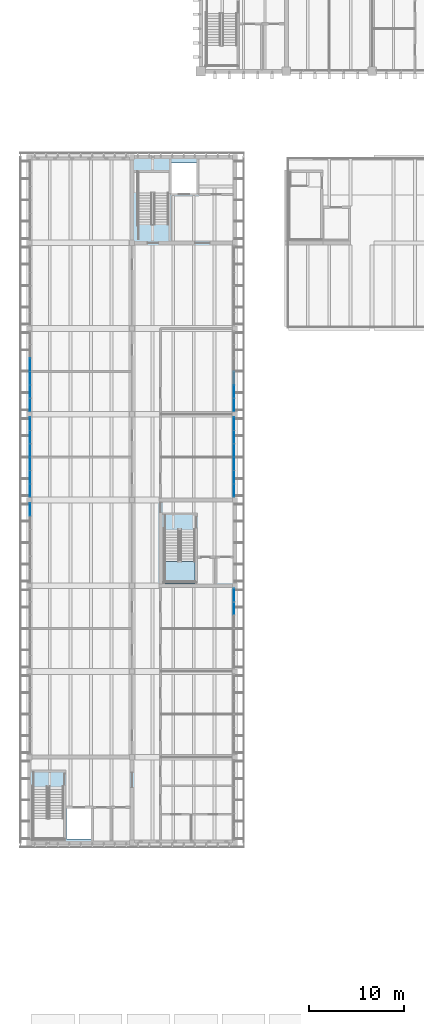
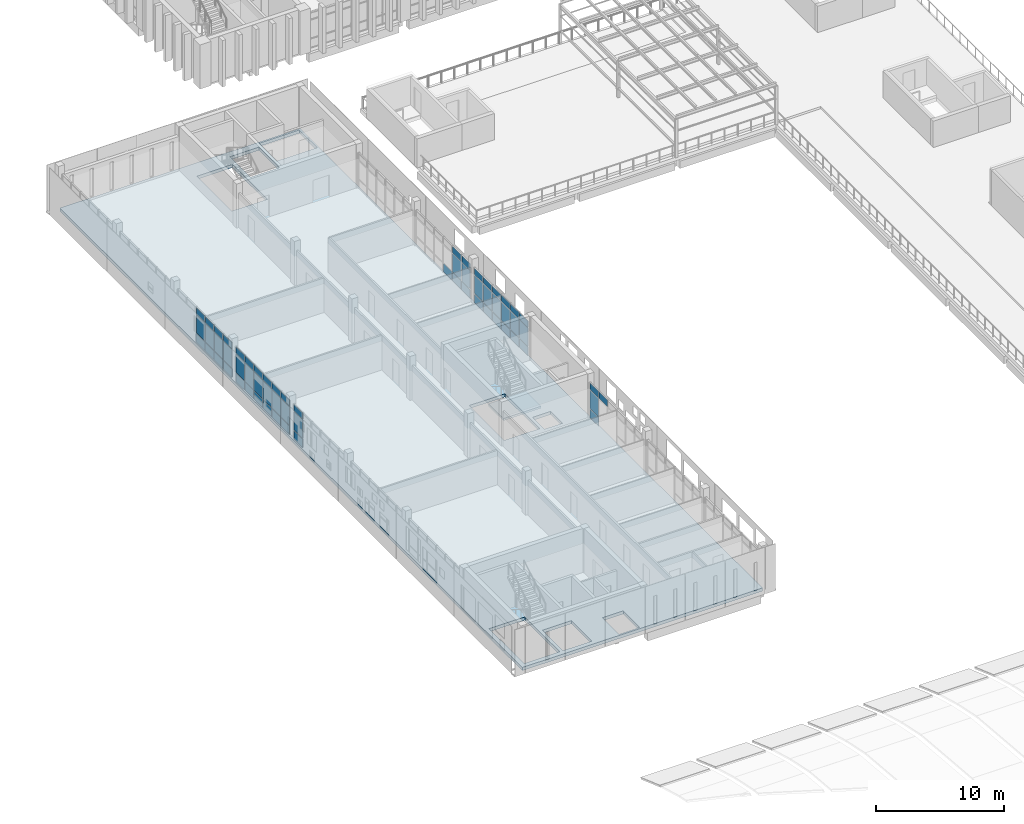
# One storey, part 35 of 74: 62 plates, 2 slabs, 7 elements without a shape of their own.
"""IFC4 building model written with IfcOpenShell, lengths in metres."""

from ifc_helpers import new_model, si_unit, direction, frame, origin, origin_2d, place, context, subcontext, project, spatial, polyline, rectangle, outline, extrude, material, layer, layer_set, type_object, element, aggregate, save


model = new_model("IFC4")

# Units and contexts
model_context = context("Model", 3, precision=1e-05, world=origin(), true_north=direction((0.0, 1.0)))
body_context = subcontext(model_context, "Body", "Model", "MODEL_VIEW")
ifc_project = project(units=[si_unit("LENGTHUNIT", "METRE"), si_unit("AREAUNIT", "SQUARE_METRE"), si_unit("VOLUMEUNIT", "CUBIC_METRE"), si_unit("PLANEANGLEUNIT", "RADIAN"), si_unit("MASSUNIT", "GRAM", prefix="KILO")], contexts=[model_context])

# Site, building, storey
site_placement = place(None, origin())
site = spatial("IfcSite", under=ifc_project, at=site_placement, CompositionType="ELEMENT")
building_placement = place(site_placement, origin())
building = spatial("IfcBuilding", under=site, at=building_placement, Name="Merrow Basin Faculty of Sciences", CompositionType="ELEMENT")
storey_placement = place(building_placement, frame((0.0, 0.0, 13.5)))
storey = spatial("IfcBuildingStorey", under=building, at=storey_placement, Name="L03", CompositionType="ELEMENT", Elevation=13.5)

# Slab
ifc_material_1 = material(Name="Concrete C40/50", Category="concrete")
ifc_layer_1 = layer(ifc_material_1, 0.300048828125)
ifc_layer_set_1 = layer_set([ifc_layer_1], Name="Floor slab 300 Concrete C40/50")
slab_type_1 = type_object("IfcSlabType", Name="Floor slab 300 Concrete C40/50", PredefinedType="FLOOR", material=ifc_layer_set_1)
slab_1_placement = place(storey_placement, frame((0.0, 0.0, -0.300048828125)))
element("IfcSlab", 1, at=slab_1_placement, inside=storey, type_object=slab_type_1, Name="SL11 floor L03 001", PredefinedType="FLOOR", context=body_context, shape_type="SweptSolid", body=[
    extrude(outline(polyline([(0.0, 133.0), (21.60009765625, 133.0), (21.60009765625, 61.0), (0.0, 61.0), (0.0, 133.0)]), holes=[polyline([(17.824951171875, 130.074951171875), (21.449951171875, 130.074951171875), (21.449951171875, 132.85009765625), (17.824951171875, 132.85009765625), (17.824951171875, 130.074951171875)]), polyline([(17.675048828125, 88.14990234375), (19.2890625, 88.14990234375), (19.2890625, 90.0), (17.675048828125, 90.0), (17.675048828125, 88.14990234375)]), polyline([(14.949951171875, 129.199951171875), (17.550048828125, 129.199951171875), (17.550048828125, 132.39990234375), (14.949951171875, 132.39990234375), (14.949951171875, 129.199951171875)]), polyline([(14.199951171875, 88.39990234375), (17.39990234375, 88.39990234375), (17.39990234375, 93.85009765625), (14.199951171875, 93.85009765625), (14.199951171875, 88.39990234375)]), polyline([(11.39990234375, 125.949951171875), (14.60009765625, 125.949951171875), (14.60009765625, 131.39990234375), (11.39990234375, 131.39990234375), (11.39990234375, 125.949951171875)]), polyline([(8.791015625, 61.14990234375), (10.64990234375, 61.14990234375), (10.64990234375, 63.72509765625), (8.791015625, 63.72509765625), (8.791015625, 61.14990234375)]), polyline([(3.89990234375, 61.39990234375), (6.5, 61.39990234375), (6.5, 64.60009765625), (3.89990234375, 64.60009765625), (3.89990234375, 61.39990234375)]), polyline([(0.39990234375, 61.39990234375), (3.60009765625, 61.39990234375), (3.60009765625, 66.85009765625), (0.39990234375, 66.85009765625), (0.39990234375, 61.39990234375)])]), origin(), (0.0, 0.0, 1.0), 0.300048828125),
])

# Curtain wall, plate
ifc_material_2 = material(Name="Aluminium alloy 6063", Category="aluminium")
curtain_wall_type = type_object("IfcCurtainWallType", Name="Bar unitised curtain wall 180", PredefinedType="NOTDEFINED", material=ifc_material_2)
curtain_wall_1_placement = place(storey_placement, origin())
curtain_wall_1 = element("IfcCurtainWall", 2, at=curtain_wall_1_placement, inside=storey, type_object=curtain_wall_type, Name="West curtain wall L03 3", PredefinedType="NOTDEFINED")
ifc_material_3 = material(Name="Insulated aluminium spandrel panel", Category="aluminium")
ifc_layer_2 = layer(ifc_material_3, 0.052001953125)
ifc_layer_set_2 = layer_set([ifc_layer_2], Name="Insulated spandrel panel 52")
plate_type_1 = type_object("IfcPlateType", Name="Insulated spandrel panel 52", PredefinedType="CURTAIN_PANEL", material=ifc_layer_set_2)
plate_1_placement = place(storey_placement, frame((0.090087890625, 96.005859375, 0.06005859375), z_axis=(0.0, 0.0, 1.0), x_axis=(0.0, 1.0, 0.0)))
plate_1 = element("IfcPlate", 3, at=plate_1_placement, type_object=plate_type_1, Name="CW1 panel 6.1", PredefinedType="CURTAIN_PANEL", context=body_context, shape_type="SweptSolid", body=[
    extrude(rectangle(XDim=1.318359375, YDim=0.052001953125, at=origin_2d()), origin(), (0.0, 0.0, 1.0), 0.81005859375),
])

# Curtain wall, plates
curtain_wall_2_placement = place(storey_placement, origin())
curtain_wall_2 = element("IfcCurtainWall", 4, at=curtain_wall_2_placement, inside=storey, type_object=curtain_wall_type, Name="West curtain wall L03 4", PredefinedType="NOTDEFINED")
plate_2_placement = place(storey_placement, frame((0.090087890625, 97.994140625, 0.06005859375), z_axis=(0.0, 0.0, 1.0), x_axis=(0.0, 1.0, 0.0)))
plate_2 = element("IfcPlate", 5, at=plate_2_placement, type_object=plate_type_1, Name="CW1 panel 1.1", PredefinedType="CURTAIN_PANEL", context=body_context, shape_type="SweptSolid", body=[
    extrude(rectangle(XDim=1.318359375, YDim=0.052001953125, at=origin_2d()), origin(), (0.0, 0.0, 1.0), 0.81005859375),
])
plate_3_placement = place(storey_placement, frame((0.090087890625, 99.387451171875, 0.06005859375), z_axis=(0.0, 0.0, 1.0), x_axis=(0.0, 1.0, 0.0)))
plate_3 = element("IfcPlate", 6, at=plate_3_placement, type_object=plate_type_1, Name="CW1 panel 2.1", PredefinedType="CURTAIN_PANEL", context=body_context, shape_type="SweptSolid", body=[
    extrude(rectangle(XDim=1.348388671875, YDim=0.052001953125, at=origin_2d()), origin(), (0.0, 0.0, 1.0), 0.81005859375),
])
plate_4_placement = place(storey_placement, frame((0.090087890625, 100.7958984375, 0.06005859375), z_axis=(0.0, 0.0, 1.0), x_axis=(0.0, 1.0, 0.0)))
plate_4 = element("IfcPlate", 7, at=plate_4_placement, type_object=plate_type_1, Name="CW1 panel 3.1", PredefinedType="CURTAIN_PANEL", context=body_context, shape_type="SweptSolid", body=[
    extrude(rectangle(XDim=1.348388671875, YDim=0.052001953125, at=origin_2d()), origin(), (0.0, 0.0, 1.0), 0.81005859375),
])
plate_5_placement = place(storey_placement, frame((0.090087890625, 102.2041015625, 0.06005859375), z_axis=(0.0, 0.0, 1.0), x_axis=(0.0, 1.0, 0.0)))
plate_5 = element("IfcPlate", 8, at=plate_5_placement, type_object=plate_type_1, Name="CW1 panel 4.1", PredefinedType="CURTAIN_PANEL", context=body_context, shape_type="SweptSolid", body=[
    extrude(rectangle(XDim=1.348388671875, YDim=0.052001953125, at=origin_2d()), origin(), (0.0, 0.0, 1.0), 0.81005859375),
])
plate_6_placement = place(storey_placement, frame((0.090087890625, 103.612548828125, 0.06005859375), z_axis=(0.0, 0.0, 1.0), x_axis=(0.0, 1.0, 0.0)))
plate_6 = element("IfcPlate", 9, at=plate_6_placement, type_object=plate_type_1, Name="CW1 panel 5.1", PredefinedType="CURTAIN_PANEL", context=body_context, shape_type="SweptSolid", body=[
    extrude(rectangle(XDim=1.348388671875, YDim=0.052001953125, at=origin_2d()), origin(), (0.0, 0.0, 1.0), 0.81005859375),
])
plate_7_placement = place(storey_placement, frame((0.090087890625, 105.005859375, 0.06005859375), z_axis=(0.0, 0.0, 1.0), x_axis=(0.0, 1.0, 0.0)))
plate_7 = element("IfcPlate", 10, at=plate_7_placement, type_object=plate_type_1, Name="CW1 panel 6.1", PredefinedType="CURTAIN_PANEL", context=body_context, shape_type="SweptSolid", body=[
    extrude(rectangle(XDim=1.318359375, YDim=0.052001953125, at=origin_2d()), origin(), (0.0, 0.0, 1.0), 0.81005859375),
])

curtain_wall_3_placement = place(storey_placement, origin())
curtain_wall_3 = element("IfcCurtainWall", 11, at=curtain_wall_3_placement, inside=storey, type_object=curtain_wall_type, Name="West curtain wall L03 5", PredefinedType="NOTDEFINED")
plate_8_placement = place(storey_placement, frame((0.090087890625, 106.994140625, 0.06005859375), z_axis=(0.0, 0.0, 1.0), x_axis=(0.0, 1.0, 0.0)))
plate_8 = element("IfcPlate", 12, at=plate_8_placement, type_object=plate_type_1, Name="CW1 panel 1.1", PredefinedType="CURTAIN_PANEL", context=body_context, shape_type="SweptSolid", body=[
    extrude(rectangle(XDim=1.318359375, YDim=0.052001953125, at=origin_2d()), origin(), (0.0, 0.0, 1.0), 0.81005859375),
])
plate_9_placement = place(storey_placement, frame((0.090087890625, 108.387451171875, 0.06005859375), z_axis=(0.0, 0.0, 1.0), x_axis=(0.0, 1.0, 0.0)))
plate_9 = element("IfcPlate", 13, at=plate_9_placement, type_object=plate_type_1, Name="CW1 panel 2.1", PredefinedType="CURTAIN_PANEL", context=body_context, shape_type="SweptSolid", body=[
    extrude(rectangle(XDim=1.348388671875, YDim=0.052001953125, at=origin_2d()), origin(), (0.0, 0.0, 1.0), 0.81005859375),
])
plate_10_placement = place(storey_placement, frame((0.090087890625, 109.7958984375, 0.06005859375), z_axis=(0.0, 0.0, 1.0), x_axis=(0.0, 1.0, 0.0)))
plate_10 = element("IfcPlate", 14, at=plate_10_placement, type_object=plate_type_1, Name="CW1 panel 3.1", PredefinedType="CURTAIN_PANEL", context=body_context, shape_type="SweptSolid", body=[
    extrude(rectangle(XDim=1.348388671875, YDim=0.052001953125, at=origin_2d()), origin(), (0.0, 0.0, 1.0), 0.81005859375),
])
plate_11_placement = place(storey_placement, frame((0.090087890625, 111.2041015625, 0.06005859375), z_axis=(0.0, 0.0, 1.0), x_axis=(0.0, 1.0, 0.0)))
plate_11 = element("IfcPlate", 15, at=plate_11_placement, type_object=plate_type_1, Name="CW1 panel 4.1", PredefinedType="CURTAIN_PANEL", context=body_context, shape_type="SweptSolid", body=[
    extrude(rectangle(XDim=1.348388671875, YDim=0.052001953125, at=origin_2d()), origin(), (0.0, 0.0, 1.0), 0.81005859375),
])

# Curtain wall, plate
curtain_wall_4_placement = place(storey_placement, origin())
curtain_wall_4 = element("IfcCurtainWall", 16, at=curtain_wall_4_placement, inside=storey, type_object=curtain_wall_type, Name="East curtain wall L03 3", PredefinedType="NOTDEFINED")
plate_12_placement = place(storey_placement, frame((21.510009765625, 87.005859375, 0.06005859375), z_axis=(0.0, 0.0, 1.0), x_axis=(0.0, 1.0, 0.0)))
plate_12 = element("IfcPlate", 17, at=plate_12_placement, type_object=plate_type_1, Name="CW1 panel 6.1", PredefinedType="CURTAIN_PANEL", context=body_context, shape_type="SweptSolid", body=[
    extrude(rectangle(XDim=1.318359375, YDim=0.052001953125, at=origin_2d()), origin(), (0.0, 0.0, 1.0), 0.81005859375),
])

# Curtain wall, plates
curtain_wall_5_placement = place(storey_placement, origin())
curtain_wall_5 = element("IfcCurtainWall", 18, at=curtain_wall_5_placement, inside=storey, type_object=curtain_wall_type, Name="East curtain wall L03 4", PredefinedType="NOTDEFINED")
plate_13_placement = place(storey_placement, frame((21.510009765625, 97.994140625, 0.06005859375), z_axis=(0.0, 0.0, 1.0), x_axis=(0.0, 1.0, 0.0)))
plate_13 = element("IfcPlate", 19, at=plate_13_placement, type_object=plate_type_1, Name="CW1 panel 1.1", PredefinedType="CURTAIN_PANEL", context=body_context, shape_type="SweptSolid", body=[
    extrude(rectangle(XDim=1.318359375, YDim=0.052001953125, at=origin_2d()), origin(), (0.0, 0.0, 1.0), 0.81005859375),
])
plate_14_placement = place(storey_placement, frame((21.510009765625, 99.387451171875, 0.06005859375), z_axis=(0.0, 0.0, 1.0), x_axis=(0.0, 1.0, 0.0)))
plate_14 = element("IfcPlate", 20, at=plate_14_placement, type_object=plate_type_1, Name="CW1 panel 2.1", PredefinedType="CURTAIN_PANEL", context=body_context, shape_type="SweptSolid", body=[
    extrude(rectangle(XDim=1.348388671875, YDim=0.052001953125, at=origin_2d()), origin(), (0.0, 0.0, 1.0), 0.81005859375),
])
plate_15_placement = place(storey_placement, frame((21.510009765625, 100.7958984375, 0.06005859375), z_axis=(0.0, 0.0, 1.0), x_axis=(0.0, 1.0, 0.0)))
plate_15 = element("IfcPlate", 21, at=plate_15_placement, type_object=plate_type_1, Name="CW1 panel 3.1", PredefinedType="CURTAIN_PANEL", context=body_context, shape_type="SweptSolid", body=[
    extrude(rectangle(XDim=1.348388671875, YDim=0.052001953125, at=origin_2d()), origin(), (0.0, 0.0, 1.0), 0.81005859375),
])
plate_16_placement = place(storey_placement, frame((21.510009765625, 102.2041015625, 0.06005859375), z_axis=(0.0, 0.0, 1.0), x_axis=(0.0, 1.0, 0.0)))
plate_16 = element("IfcPlate", 22, at=plate_16_placement, type_object=plate_type_1, Name="CW1 panel 4.1", PredefinedType="CURTAIN_PANEL", context=body_context, shape_type="SweptSolid", body=[
    extrude(rectangle(XDim=1.348388671875, YDim=0.052001953125, at=origin_2d()), origin(), (0.0, 0.0, 1.0), 0.81005859375),
])
plate_17_placement = place(storey_placement, frame((21.510009765625, 103.612548828125, 0.06005859375), z_axis=(0.0, 0.0, 1.0), x_axis=(0.0, 1.0, 0.0)))
plate_17 = element("IfcPlate", 23, at=plate_17_placement, type_object=plate_type_1, Name="CW1 panel 5.1", PredefinedType="CURTAIN_PANEL", context=body_context, shape_type="SweptSolid", body=[
    extrude(rectangle(XDim=1.348388671875, YDim=0.052001953125, at=origin_2d()), origin(), (0.0, 0.0, 1.0), 0.81005859375),
])
plate_18_placement = place(storey_placement, frame((21.510009765625, 105.005859375, 0.06005859375), z_axis=(0.0, 0.0, 1.0), x_axis=(0.0, 1.0, 0.0)))
plate_18 = element("IfcPlate", 24, at=plate_18_placement, type_object=plate_type_1, Name="CW1 panel 6.1", PredefinedType="CURTAIN_PANEL", context=body_context, shape_type="SweptSolid", body=[
    extrude(rectangle(XDim=1.318359375, YDim=0.052001953125, at=origin_2d()), origin(), (0.0, 0.0, 1.0), 0.81005859375),
])

curtain_wall_6_placement = place(storey_placement, origin())
curtain_wall_6 = element("IfcCurtainWall", 25, at=curtain_wall_6_placement, inside=storey, type_object=curtain_wall_type, Name="East curtain wall L03 5", PredefinedType="NOTDEFINED")
plate_19_placement = place(storey_placement, frame((21.510009765625, 106.994140625, 0.06005859375), z_axis=(0.0, 0.0, 1.0), x_axis=(0.0, 1.0, 0.0)))
plate_19 = element("IfcPlate", 26, at=plate_19_placement, type_object=plate_type_1, Name="CW1 panel 1.1", PredefinedType="CURTAIN_PANEL", context=body_context, shape_type="SweptSolid", body=[
    extrude(rectangle(XDim=1.318359375, YDim=0.052001953125, at=origin_2d()), origin(), (0.0, 0.0, 1.0), 0.81005859375),
])
plate_20_placement = place(storey_placement, frame((21.510009765625, 108.387451171875, 0.06005859375), z_axis=(0.0, 0.0, 1.0), x_axis=(0.0, 1.0, 0.0)))
plate_20 = element("IfcPlate", 27, at=plate_20_placement, type_object=plate_type_1, Name="CW1 panel 2.1", PredefinedType="CURTAIN_PANEL", context=body_context, shape_type="SweptSolid", body=[
    extrude(rectangle(XDim=1.348388671875, YDim=0.052001953125, at=origin_2d()), origin(), (0.0, 0.0, 1.0), 0.81005859375),
])
plate_21_placement = place(storey_placement, frame((21.510009765625, 109.7958984375, 0.06005859375), z_axis=(0.0, 0.0, 1.0), x_axis=(0.0, 1.0, 0.0)))
plate_21 = element("IfcPlate", 28, at=plate_21_placement, type_object=plate_type_1, Name="CW1 panel 3.1", PredefinedType="CURTAIN_PANEL", context=body_context, shape_type="SweptSolid", body=[
    extrude(rectangle(XDim=1.348388671875, YDim=0.052001953125, at=origin_2d()), origin(), (0.0, 0.0, 1.0), 0.81005859375),
])

# Plate
ifc_material_4 = material(Name="Low-E double glazing", Category="glass")
ifc_layer_3 = layer(ifc_material_4, 0.028076171875)
ifc_layer_set_3 = layer_set([ifc_layer_3], Name="Low-E double glazed panel 28")
plate_type_2 = type_object("IfcPlateType", Name="Low-E double glazed panel 28", PredefinedType="CURTAIN_PANEL", material=ifc_layer_set_3)
plate_22_placement = place(storey_placement, frame((0.090087890625, 96.005859375, 0.93017578125), z_axis=(0.0, 0.0, 1.0), x_axis=(0.0, 1.0, 0.0)))
plate_22 = element("IfcPlate", 29, at=plate_22_placement, type_object=plate_type_2, Name="CW1 panel 6.2", PredefinedType="CURTAIN_PANEL", context=body_context, shape_type="SweptSolid", body=[
    extrude(rectangle(XDim=1.318359375, YDim=0.028076171875, at=origin_2d()), origin(), (0.0, 0.0, 1.0), 1.739990234375),
])

plate_23_placement = place(storey_placement, frame((0.090087890625, 96.005859375, 2.72998046875), z_axis=(0.0, 0.0, 1.0), x_axis=(0.0, 1.0, 0.0)))
plate_23 = element("IfcPlate", 30, at=plate_23_placement, type_object=plate_type_2, Name="CW1 panel 6.3", PredefinedType="CURTAIN_PANEL", context=body_context, shape_type="SweptSolid", body=[
    extrude(rectangle(XDim=1.318359375, YDim=0.028076171875, at=origin_2d()), origin(), (0.0, 0.0, 1.0), 0.610107421875),
])

aggregate(curtain_wall_1, [plate_1, plate_22, plate_23])

plate_24_placement = place(storey_placement, frame((0.090087890625, 97.994140625, 0.93017578125), z_axis=(0.0, 0.0, 1.0), x_axis=(0.0, 1.0, 0.0)))
plate_24 = element("IfcPlate", 31, at=plate_24_placement, type_object=plate_type_2, Name="CW1 panel 1.2", PredefinedType="CURTAIN_PANEL", context=body_context, shape_type="SweptSolid", body=[
    extrude(rectangle(XDim=1.318359375, YDim=0.028076171875, at=origin_2d()), origin(), (0.0, 0.0, 1.0), 1.739990234375),
])

plate_25_placement = place(storey_placement, frame((0.090087890625, 97.994140625, 2.72998046875), z_axis=(0.0, 0.0, 1.0), x_axis=(0.0, 1.0, 0.0)))
plate_25 = element("IfcPlate", 32, at=plate_25_placement, type_object=plate_type_2, Name="CW1 panel 1.3", PredefinedType="CURTAIN_PANEL", context=body_context, shape_type="SweptSolid", body=[
    extrude(rectangle(XDim=1.318359375, YDim=0.028076171875, at=origin_2d()), origin(), (0.0, 0.0, 1.0), 0.610107421875),
])

plate_26_placement = place(storey_placement, frame((0.090087890625, 99.387451171875, 0.93017578125), z_axis=(0.0, 0.0, 1.0), x_axis=(0.0, 1.0, 0.0)))
plate_26 = element("IfcPlate", 33, at=plate_26_placement, type_object=plate_type_2, Name="CW1 panel 2.2", PredefinedType="CURTAIN_PANEL", context=body_context, shape_type="SweptSolid", body=[
    extrude(rectangle(XDim=1.348388671875, YDim=0.028076171875, at=origin_2d()), origin(), (0.0, 0.0, 1.0), 1.739990234375),
])

plate_27_placement = place(storey_placement, frame((0.090087890625, 99.387451171875, 2.72998046875), z_axis=(0.0, 0.0, 1.0), x_axis=(0.0, 1.0, 0.0)))
plate_27 = element("IfcPlate", 34, at=plate_27_placement, type_object=plate_type_2, Name="CW1 panel 2.3", PredefinedType="CURTAIN_PANEL", context=body_context, shape_type="SweptSolid", body=[
    extrude(rectangle(XDim=1.348388671875, YDim=0.028076171875, at=origin_2d()), origin(), (0.0, 0.0, 1.0), 0.610107421875),
])

plate_28_placement = place(storey_placement, frame((0.090087890625, 100.7958984375, 0.93017578125), z_axis=(0.0, 0.0, 1.0), x_axis=(0.0, 1.0, 0.0)))
plate_28 = element("IfcPlate", 35, at=plate_28_placement, type_object=plate_type_2, Name="CW1 panel 3.2", PredefinedType="CURTAIN_PANEL", context=body_context, shape_type="SweptSolid", body=[
    extrude(rectangle(XDim=1.348388671875, YDim=0.028076171875, at=origin_2d()), origin(), (0.0, 0.0, 1.0), 1.739990234375),
])

plate_29_placement = place(storey_placement, frame((0.090087890625, 100.7958984375, 2.72998046875), z_axis=(0.0, 0.0, 1.0), x_axis=(0.0, 1.0, 0.0)))
plate_29 = element("IfcPlate", 36, at=plate_29_placement, type_object=plate_type_2, Name="CW1 panel 3.3", PredefinedType="CURTAIN_PANEL", context=body_context, shape_type="SweptSolid", body=[
    extrude(rectangle(XDim=1.348388671875, YDim=0.028076171875, at=origin_2d()), origin(), (0.0, 0.0, 1.0), 0.610107421875),
])

plate_30_placement = place(storey_placement, frame((0.090087890625, 102.2041015625, 0.93017578125), z_axis=(0.0, 0.0, 1.0), x_axis=(0.0, 1.0, 0.0)))
plate_30 = element("IfcPlate", 37, at=plate_30_placement, type_object=plate_type_2, Name="CW1 panel 4.2", PredefinedType="CURTAIN_PANEL", context=body_context, shape_type="SweptSolid", body=[
    extrude(rectangle(XDim=1.348388671875, YDim=0.028076171875, at=origin_2d()), origin(), (0.0, 0.0, 1.0), 1.739990234375),
])

plate_31_placement = place(storey_placement, frame((0.090087890625, 102.2041015625, 2.72998046875), z_axis=(0.0, 0.0, 1.0), x_axis=(0.0, 1.0, 0.0)))
plate_31 = element("IfcPlate", 38, at=plate_31_placement, type_object=plate_type_2, Name="CW1 panel 4.3", PredefinedType="CURTAIN_PANEL", context=body_context, shape_type="SweptSolid", body=[
    extrude(rectangle(XDim=1.348388671875, YDim=0.028076171875, at=origin_2d()), origin(), (0.0, 0.0, 1.0), 0.610107421875),
])

plate_32_placement = place(storey_placement, frame((0.090087890625, 103.612548828125, 0.93017578125), z_axis=(0.0, 0.0, 1.0), x_axis=(0.0, 1.0, 0.0)))
plate_32 = element("IfcPlate", 39, at=plate_32_placement, type_object=plate_type_2, Name="CW1 panel 5.2", PredefinedType="CURTAIN_PANEL", context=body_context, shape_type="SweptSolid", body=[
    extrude(rectangle(XDim=1.348388671875, YDim=0.028076171875, at=origin_2d()), origin(), (0.0, 0.0, 1.0), 1.739990234375),
])

plate_33_placement = place(storey_placement, frame((0.090087890625, 103.612548828125, 2.72998046875), z_axis=(0.0, 0.0, 1.0), x_axis=(0.0, 1.0, 0.0)))
plate_33 = element("IfcPlate", 40, at=plate_33_placement, type_object=plate_type_2, Name="CW1 panel 5.3", PredefinedType="CURTAIN_PANEL", context=body_context, shape_type="SweptSolid", body=[
    extrude(rectangle(XDim=1.348388671875, YDim=0.028076171875, at=origin_2d()), origin(), (0.0, 0.0, 1.0), 0.610107421875),
])

plate_34_placement = place(storey_placement, frame((0.090087890625, 105.005859375, 0.93017578125), z_axis=(0.0, 0.0, 1.0), x_axis=(0.0, 1.0, 0.0)))
plate_34 = element("IfcPlate", 41, at=plate_34_placement, type_object=plate_type_2, Name="CW1 panel 6.2", PredefinedType="CURTAIN_PANEL", context=body_context, shape_type="SweptSolid", body=[
    extrude(rectangle(XDim=1.318359375, YDim=0.028076171875, at=origin_2d()), origin(), (0.0, 0.0, 1.0), 1.739990234375),
])

plate_35_placement = place(storey_placement, frame((0.090087890625, 105.005859375, 2.72998046875), z_axis=(0.0, 0.0, 1.0), x_axis=(0.0, 1.0, 0.0)))
plate_35 = element("IfcPlate", 42, at=plate_35_placement, type_object=plate_type_2, Name="CW1 panel 6.3", PredefinedType="CURTAIN_PANEL", context=body_context, shape_type="SweptSolid", body=[
    extrude(rectangle(XDim=1.318359375, YDim=0.028076171875, at=origin_2d()), origin(), (0.0, 0.0, 1.0), 0.610107421875),
])

aggregate(curtain_wall_2, [plate_2, plate_24, plate_25, plate_3, plate_26, plate_27, plate_4, plate_28, plate_29, plate_5, plate_30, plate_31, plate_6, plate_32, plate_33, plate_7, plate_34, plate_35])

plate_36_placement = place(storey_placement, frame((0.090087890625, 106.994140625, 0.93017578125), z_axis=(0.0, 0.0, 1.0), x_axis=(0.0, 1.0, 0.0)))
plate_36 = element("IfcPlate", 43, at=plate_36_placement, type_object=plate_type_2, Name="CW1 panel 1.2", PredefinedType="CURTAIN_PANEL", context=body_context, shape_type="SweptSolid", body=[
    extrude(rectangle(XDim=1.318359375, YDim=0.028076171875, at=origin_2d()), origin(), (0.0, 0.0, 1.0), 1.739990234375),
])

plate_37_placement = place(storey_placement, frame((0.090087890625, 106.994140625, 2.72998046875), z_axis=(0.0, 0.0, 1.0), x_axis=(0.0, 1.0, 0.0)))
plate_37 = element("IfcPlate", 44, at=plate_37_placement, type_object=plate_type_2, Name="CW1 panel 1.3", PredefinedType="CURTAIN_PANEL", context=body_context, shape_type="SweptSolid", body=[
    extrude(rectangle(XDim=1.318359375, YDim=0.028076171875, at=origin_2d()), origin(), (0.0, 0.0, 1.0), 0.610107421875),
])

plate_38_placement = place(storey_placement, frame((0.090087890625, 108.387451171875, 0.93017578125), z_axis=(0.0, 0.0, 1.0), x_axis=(0.0, 1.0, 0.0)))
plate_38 = element("IfcPlate", 45, at=plate_38_placement, type_object=plate_type_2, Name="CW1 panel 2.2", PredefinedType="CURTAIN_PANEL", context=body_context, shape_type="SweptSolid", body=[
    extrude(rectangle(XDim=1.348388671875, YDim=0.028076171875, at=origin_2d()), origin(), (0.0, 0.0, 1.0), 1.739990234375),
])

plate_39_placement = place(storey_placement, frame((0.090087890625, 108.387451171875, 2.72998046875), z_axis=(0.0, 0.0, 1.0), x_axis=(0.0, 1.0, 0.0)))
plate_39 = element("IfcPlate", 46, at=plate_39_placement, type_object=plate_type_2, Name="CW1 panel 2.3", PredefinedType="CURTAIN_PANEL", context=body_context, shape_type="SweptSolid", body=[
    extrude(rectangle(XDim=1.348388671875, YDim=0.028076171875, at=origin_2d()), origin(), (0.0, 0.0, 1.0), 0.610107421875),
])

plate_40_placement = place(storey_placement, frame((0.090087890625, 109.7958984375, 0.93017578125), z_axis=(0.0, 0.0, 1.0), x_axis=(0.0, 1.0, 0.0)))
plate_40 = element("IfcPlate", 47, at=plate_40_placement, type_object=plate_type_2, Name="CW1 panel 3.2", PredefinedType="CURTAIN_PANEL", context=body_context, shape_type="SweptSolid", body=[
    extrude(rectangle(XDim=1.348388671875, YDim=0.028076171875, at=origin_2d()), origin(), (0.0, 0.0, 1.0), 1.739990234375),
])

plate_41_placement = place(storey_placement, frame((0.090087890625, 109.7958984375, 2.72998046875), z_axis=(0.0, 0.0, 1.0), x_axis=(0.0, 1.0, 0.0)))
plate_41 = element("IfcPlate", 48, at=plate_41_placement, type_object=plate_type_2, Name="CW1 panel 3.3", PredefinedType="CURTAIN_PANEL", context=body_context, shape_type="SweptSolid", body=[
    extrude(rectangle(XDim=1.348388671875, YDim=0.028076171875, at=origin_2d()), origin(), (0.0, 0.0, 1.0), 0.610107421875),
])

plate_42_placement = place(storey_placement, frame((0.090087890625, 111.2041015625, 0.93017578125), z_axis=(0.0, 0.0, 1.0), x_axis=(0.0, 1.0, 0.0)))
plate_42 = element("IfcPlate", 49, at=plate_42_placement, type_object=plate_type_2, Name="CW1 panel 4.2", PredefinedType="CURTAIN_PANEL", context=body_context, shape_type="SweptSolid", body=[
    extrude(rectangle(XDim=1.348388671875, YDim=0.028076171875, at=origin_2d()), origin(), (0.0, 0.0, 1.0), 1.739990234375),
])

plate_43_placement = place(storey_placement, frame((0.090087890625, 111.2041015625, 2.72998046875), z_axis=(0.0, 0.0, 1.0), x_axis=(0.0, 1.0, 0.0)))
plate_43 = element("IfcPlate", 50, at=plate_43_placement, type_object=plate_type_2, Name="CW1 panel 4.3", PredefinedType="CURTAIN_PANEL", context=body_context, shape_type="SweptSolid", body=[
    extrude(rectangle(XDim=1.348388671875, YDim=0.028076171875, at=origin_2d()), origin(), (0.0, 0.0, 1.0), 0.610107421875),
])

aggregate(curtain_wall_3, [plate_8, plate_36, plate_37, plate_9, plate_38, plate_39, plate_10, plate_40, plate_41, plate_11, plate_42, plate_43])

plate_44_placement = place(storey_placement, frame((21.510009765625, 85.612548828125, 2.72998046875), z_axis=(0.0, 0.0, 1.0), x_axis=(0.0, 1.0, 0.0)))
plate_44 = element("IfcPlate", 51, at=plate_44_placement, type_object=plate_type_2, Name="CW1 panel 5.3", PredefinedType="CURTAIN_PANEL", context=body_context, shape_type="SweptSolid", body=[
    extrude(rectangle(XDim=1.348388671875, YDim=0.028076171875, at=origin_2d()), origin(), (0.0, 0.0, 1.0), 0.610107421875),
])

plate_45_placement = place(storey_placement, frame((21.510009765625, 87.005859375, 0.93017578125), z_axis=(0.0, 0.0, 1.0), x_axis=(0.0, 1.0, 0.0)))
plate_45 = element("IfcPlate", 52, at=plate_45_placement, type_object=plate_type_2, Name="CW1 panel 6.2", PredefinedType="CURTAIN_PANEL", context=body_context, shape_type="SweptSolid", body=[
    extrude(rectangle(XDim=1.318359375, YDim=0.028076171875, at=origin_2d()), origin(), (0.0, 0.0, 1.0), 1.739990234375),
])

plate_46_placement = place(storey_placement, frame((21.510009765625, 87.005859375, 2.72998046875), z_axis=(0.0, 0.0, 1.0), x_axis=(0.0, 1.0, 0.0)))
plate_46 = element("IfcPlate", 53, at=plate_46_placement, type_object=plate_type_2, Name="CW1 panel 6.3", PredefinedType="CURTAIN_PANEL", context=body_context, shape_type="SweptSolid", body=[
    extrude(rectangle(XDim=1.318359375, YDim=0.028076171875, at=origin_2d()), origin(), (0.0, 0.0, 1.0), 0.610107421875),
])

aggregate(curtain_wall_4, [plate_44, plate_12, plate_45, plate_46])

plate_47_placement = place(storey_placement, frame((21.510009765625, 97.994140625, 0.93017578125), z_axis=(0.0, 0.0, 1.0), x_axis=(0.0, 1.0, 0.0)))
plate_47 = element("IfcPlate", 54, at=plate_47_placement, type_object=plate_type_2, Name="CW1 panel 1.2", PredefinedType="CURTAIN_PANEL", context=body_context, shape_type="SweptSolid", body=[
    extrude(rectangle(XDim=1.318359375, YDim=0.028076171875, at=origin_2d()), origin(), (0.0, 0.0, 1.0), 1.739990234375),
])

plate_48_placement = place(storey_placement, frame((21.510009765625, 97.994140625, 2.72998046875), z_axis=(0.0, 0.0, 1.0), x_axis=(0.0, 1.0, 0.0)))
plate_48 = element("IfcPlate", 55, at=plate_48_placement, type_object=plate_type_2, Name="CW1 panel 1.3", PredefinedType="CURTAIN_PANEL", context=body_context, shape_type="SweptSolid", body=[
    extrude(rectangle(XDim=1.318359375, YDim=0.028076171875, at=origin_2d()), origin(), (0.0, 0.0, 1.0), 0.610107421875),
])

plate_49_placement = place(storey_placement, frame((21.510009765625, 99.387451171875, 0.93017578125), z_axis=(0.0, 0.0, 1.0), x_axis=(0.0, 1.0, 0.0)))
plate_49 = element("IfcPlate", 56, at=plate_49_placement, type_object=plate_type_2, Name="CW1 panel 2.2", PredefinedType="CURTAIN_PANEL", context=body_context, shape_type="SweptSolid", body=[
    extrude(rectangle(XDim=1.348388671875, YDim=0.028076171875, at=origin_2d()), origin(), (0.0, 0.0, 1.0), 1.739990234375),
])

plate_50_placement = place(storey_placement, frame((21.510009765625, 99.387451171875, 2.72998046875), z_axis=(0.0, 0.0, 1.0), x_axis=(0.0, 1.0, 0.0)))
plate_50 = element("IfcPlate", 57, at=plate_50_placement, type_object=plate_type_2, Name="CW1 panel 2.3", PredefinedType="CURTAIN_PANEL", context=body_context, shape_type="SweptSolid", body=[
    extrude(rectangle(XDim=1.348388671875, YDim=0.028076171875, at=origin_2d()), origin(), (0.0, 0.0, 1.0), 0.610107421875),
])

plate_51_placement = place(storey_placement, frame((21.510009765625, 100.7958984375, 0.93017578125), z_axis=(0.0, 0.0, 1.0), x_axis=(0.0, 1.0, 0.0)))
plate_51 = element("IfcPlate", 58, at=plate_51_placement, type_object=plate_type_2, Name="CW1 panel 3.2", PredefinedType="CURTAIN_PANEL", context=body_context, shape_type="SweptSolid", body=[
    extrude(rectangle(XDim=1.348388671875, YDim=0.028076171875, at=origin_2d()), origin(), (0.0, 0.0, 1.0), 1.739990234375),
])

plate_52_placement = place(storey_placement, frame((21.510009765625, 100.7958984375, 2.72998046875), z_axis=(0.0, 0.0, 1.0), x_axis=(0.0, 1.0, 0.0)))
plate_52 = element("IfcPlate", 59, at=plate_52_placement, type_object=plate_type_2, Name="CW1 panel 3.3", PredefinedType="CURTAIN_PANEL", context=body_context, shape_type="SweptSolid", body=[
    extrude(rectangle(XDim=1.348388671875, YDim=0.028076171875, at=origin_2d()), origin(), (0.0, 0.0, 1.0), 0.610107421875),
])

plate_53_placement = place(storey_placement, frame((21.510009765625, 102.2041015625, 0.93017578125), z_axis=(0.0, 0.0, 1.0), x_axis=(0.0, 1.0, 0.0)))
plate_53 = element("IfcPlate", 60, at=plate_53_placement, type_object=plate_type_2, Name="CW1 panel 4.2", PredefinedType="CURTAIN_PANEL", context=body_context, shape_type="SweptSolid", body=[
    extrude(rectangle(XDim=1.348388671875, YDim=0.028076171875, at=origin_2d()), origin(), (0.0, 0.0, 1.0), 1.739990234375),
])

plate_54_placement = place(storey_placement, frame((21.510009765625, 102.2041015625, 2.72998046875), z_axis=(0.0, 0.0, 1.0), x_axis=(0.0, 1.0, 0.0)))
plate_54 = element("IfcPlate", 61, at=plate_54_placement, type_object=plate_type_2, Name="CW1 panel 4.3", PredefinedType="CURTAIN_PANEL", context=body_context, shape_type="SweptSolid", body=[
    extrude(rectangle(XDim=1.348388671875, YDim=0.028076171875, at=origin_2d()), origin(), (0.0, 0.0, 1.0), 0.610107421875),
])

plate_55_placement = place(storey_placement, frame((21.510009765625, 103.612548828125, 0.93017578125), z_axis=(0.0, 0.0, 1.0), x_axis=(0.0, 1.0, 0.0)))
plate_55 = element("IfcPlate", 62, at=plate_55_placement, type_object=plate_type_2, Name="CW1 panel 5.2", PredefinedType="CURTAIN_PANEL", context=body_context, shape_type="SweptSolid", body=[
    extrude(rectangle(XDim=1.348388671875, YDim=0.028076171875, at=origin_2d()), origin(), (0.0, 0.0, 1.0), 1.739990234375),
])

plate_56_placement = place(storey_placement, frame((21.510009765625, 103.612548828125, 2.72998046875), z_axis=(0.0, 0.0, 1.0), x_axis=(0.0, 1.0, 0.0)))
plate_56 = element("IfcPlate", 63, at=plate_56_placement, type_object=plate_type_2, Name="CW1 panel 5.3", PredefinedType="CURTAIN_PANEL", context=body_context, shape_type="SweptSolid", body=[
    extrude(rectangle(XDim=1.348388671875, YDim=0.028076171875, at=origin_2d()), origin(), (0.0, 0.0, 1.0), 0.610107421875),
])

plate_57_placement = place(storey_placement, frame((21.510009765625, 105.005859375, 0.93017578125), z_axis=(0.0, 0.0, 1.0), x_axis=(0.0, 1.0, 0.0)))
plate_57 = element("IfcPlate", 64, at=plate_57_placement, type_object=plate_type_2, Name="CW1 panel 6.2", PredefinedType="CURTAIN_PANEL", context=body_context, shape_type="SweptSolid", body=[
    extrude(rectangle(XDim=1.318359375, YDim=0.028076171875, at=origin_2d()), origin(), (0.0, 0.0, 1.0), 1.739990234375),
])

plate_58_placement = place(storey_placement, frame((21.510009765625, 105.005859375, 2.72998046875), z_axis=(0.0, 0.0, 1.0), x_axis=(0.0, 1.0, 0.0)))
plate_58 = element("IfcPlate", 65, at=plate_58_placement, type_object=plate_type_2, Name="CW1 panel 6.3", PredefinedType="CURTAIN_PANEL", context=body_context, shape_type="SweptSolid", body=[
    extrude(rectangle(XDim=1.318359375, YDim=0.028076171875, at=origin_2d()), origin(), (0.0, 0.0, 1.0), 0.610107421875),
])

aggregate(curtain_wall_5, [plate_13, plate_47, plate_48, plate_14, plate_49, plate_50, plate_15, plate_51, plate_52, plate_16, plate_53, plate_54, plate_17, plate_55, plate_56, plate_18, plate_57, plate_58])

plate_59_placement = place(storey_placement, frame((21.510009765625, 106.994140625, 0.93017578125), z_axis=(0.0, 0.0, 1.0), x_axis=(0.0, 1.0, 0.0)))
plate_59 = element("IfcPlate", 66, at=plate_59_placement, type_object=plate_type_2, Name="CW1 panel 1.2", PredefinedType="CURTAIN_PANEL", context=body_context, shape_type="SweptSolid", body=[
    extrude(rectangle(XDim=1.318359375, YDim=0.028076171875, at=origin_2d()), origin(), (0.0, 0.0, 1.0), 1.739990234375),
])

plate_60_placement = place(storey_placement, frame((21.510009765625, 106.994140625, 2.72998046875), z_axis=(0.0, 0.0, 1.0), x_axis=(0.0, 1.0, 0.0)))
plate_60 = element("IfcPlate", 67, at=plate_60_placement, type_object=plate_type_2, Name="CW1 panel 1.3", PredefinedType="CURTAIN_PANEL", context=body_context, shape_type="SweptSolid", body=[
    extrude(rectangle(XDim=1.318359375, YDim=0.028076171875, at=origin_2d()), origin(), (0.0, 0.0, 1.0), 0.610107421875),
])

plate_61_placement = place(storey_placement, frame((21.510009765625, 108.387451171875, 0.93017578125), z_axis=(0.0, 0.0, 1.0), x_axis=(0.0, 1.0, 0.0)))
plate_61 = element("IfcPlate", 68, at=plate_61_placement, type_object=plate_type_2, Name="CW1 panel 2.2", PredefinedType="CURTAIN_PANEL", context=body_context, shape_type="SweptSolid", body=[
    extrude(rectangle(XDim=1.348388671875, YDim=0.028076171875, at=origin_2d()), origin(), (0.0, 0.0, 1.0), 1.739990234375),
])

plate_62_placement = place(storey_placement, frame((21.510009765625, 108.387451171875, 2.72998046875), z_axis=(0.0, 0.0, 1.0), x_axis=(0.0, 1.0, 0.0)))
plate_62 = element("IfcPlate", 69, at=plate_62_placement, type_object=plate_type_2, Name="CW1 panel 2.3", PredefinedType="CURTAIN_PANEL", context=body_context, shape_type="SweptSolid", body=[
    extrude(rectangle(XDim=1.348388671875, YDim=0.028076171875, at=origin_2d()), origin(), (0.0, 0.0, 1.0), 0.610107421875),
])

aggregate(curtain_wall_6, [plate_19, plate_59, plate_60, plate_20, plate_61, plate_62, plate_21])

# Stair, slab
ifc_material_5 = material(Name="Concrete C40/50", Category="concrete")
stair_type = type_object("IfcStairType", Name="Concrete dog-leg stair Concrete C40/50", PredefinedType="HALF_TURN_STAIR", material=ifc_material_5)
stair_placement = place(storey_placement, origin())
stair = element("IfcStair", 70, at=stair_placement, inside=storey, type_object=stair_type, Name="L03 Exit stair M", PredefinedType="HALF_TURN_STAIR")
ifc_material_6 = material(Name="Concrete C40/50", Category="concrete")
ifc_layer_4 = layer(ifc_material_6, 0.199951171875)
ifc_layer_set_4 = layer_set([ifc_layer_4], Name="Stair landing 200 Concrete C40/50")
slab_type_2 = type_object("IfcSlabType", Name="Stair landing 200 Concrete C40/50", PredefinedType="LANDING", material=ifc_layer_set_4)
slab_2_placement = place(storey_placement, frame((0.0, 0.0, 2.050048828125)))
slab_2 = element("IfcSlab", 71, at=slab_2_placement, type_object=slab_type_2, Name="ST-V4-M landing 1", PredefinedType="LANDING", context=body_context, shape_type="SweptSolid", body=[
    extrude(outline(polyline([(14.0, 88.199951171875), (17.39990234375, 88.199951171875), (17.39990234375, 90.5400390625), (14.0, 90.5400390625), (14.0, 88.199951171875)])), origin(), (0.0, 0.0, 1.0), 0.199951171875),
])
aggregate(stair, [slab_2])

save(model, "model.ifc")
